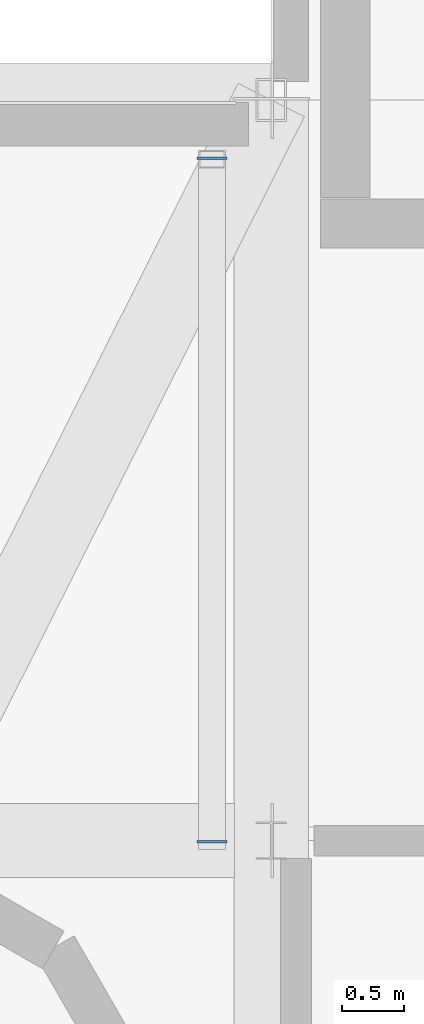
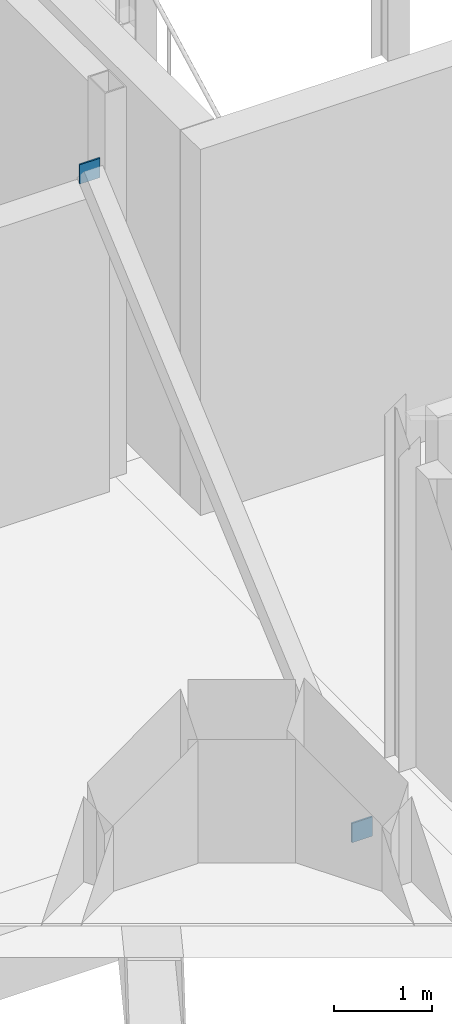
# One storey, part 82 of 100: 2 plates.
"""IFC4 building model written with IfcOpenShell, lengths in metres."""

from ifc_helpers import new_model, si_unit, derived_unit, direction, frame, origin, origin_2d, place, context, subcontext, project, spatial, rectangle, extrude, material, layer, layer_set, type_object, element, save


model = new_model("IFC4")

# Units and contexts
model_context = context("Model", 3, precision=1e-05, world=origin(), true_north=direction((0.0, 1.0)))
body_context = subcontext(model_context, "Body", "Model", "MODEL_VIEW")
ifc_project = project(units=[si_unit("LENGTHUNIT", "METRE"), si_unit("AREAUNIT", "SQUARE_METRE"), si_unit("VOLUMEUNIT", "CUBIC_METRE"), si_unit("PLANEANGLEUNIT", "RADIAN"), si_unit("MASSUNIT", "GRAM", prefix="KILO"), derived_unit("THERMALTRANSMITTANCEUNIT", [(si_unit("POWERUNIT", "WATT"), 1), (si_unit("LENGTHUNIT", "METRE"), -2), (si_unit("THERMODYNAMICTEMPERATUREUNIT", "KELVIN"), -1)])], contexts=[model_context])

# Site, building, storey
site_placement = place(None, origin())
site = spatial("IfcSite", under=ifc_project, at=site_placement, CompositionType="ELEMENT")
building_placement = place(site_placement, origin())
building = spatial("IfcBuilding", under=site, at=building_placement, Name="Nallur Shell Playhouse", CompositionType="ELEMENT")
storey_placement = place(building_placement, frame((0.0, 0.0, 10.199951171875)))
storey = spatial("IfcBuildingStorey", under=building, at=storey_placement, Name="L03", CompositionType="ELEMENT", Elevation=10.199951171875)

# Plates
ifc_material = material(Name="Steel E350", Category="steel")
ifc_layer = layer(ifc_material, 0.02001953125)
ifc_layer_set = layer_set([ifc_layer], Name="Steel E350")
plate_type = type_object("IfcPlateType", Name="PT-ENDCAP-20", PredefinedType="SHEET", material=ifc_layer_set)
for number, where, z_axis, x_axis, name in (
    (1, (118.1201171875, 40.992431640625, -0.78662109375), (0.0, 0.0, 1.0), (1.0, 0.0, 0.0), "Hollow end cap EC-GBD-L03-4-A"),
    (2, (118.1201171875, 46.527587890625, 4.02685546875), (0.0, 0.0, 1.0), (1.0, 0.0, 0.0), "Hollow end cap EC-GBD-L03-4-B"),
):
    element("IfcPlate", number, at=place(storey_placement, frame(where, z_axis=z_axis, x_axis=x_axis)), inside=storey, type_object=plate_type, Name=name, PredefinedType="SHEET", context=body_context, shape_type="SweptSolid", body=[
        extrude(rectangle(XDim=0.239990234375, YDim=0.02001953125, at=origin_2d()), origin(), (0.0, 0.0, 1.0), 0.239990234375),
    ])

save(model, "model.ifc")
